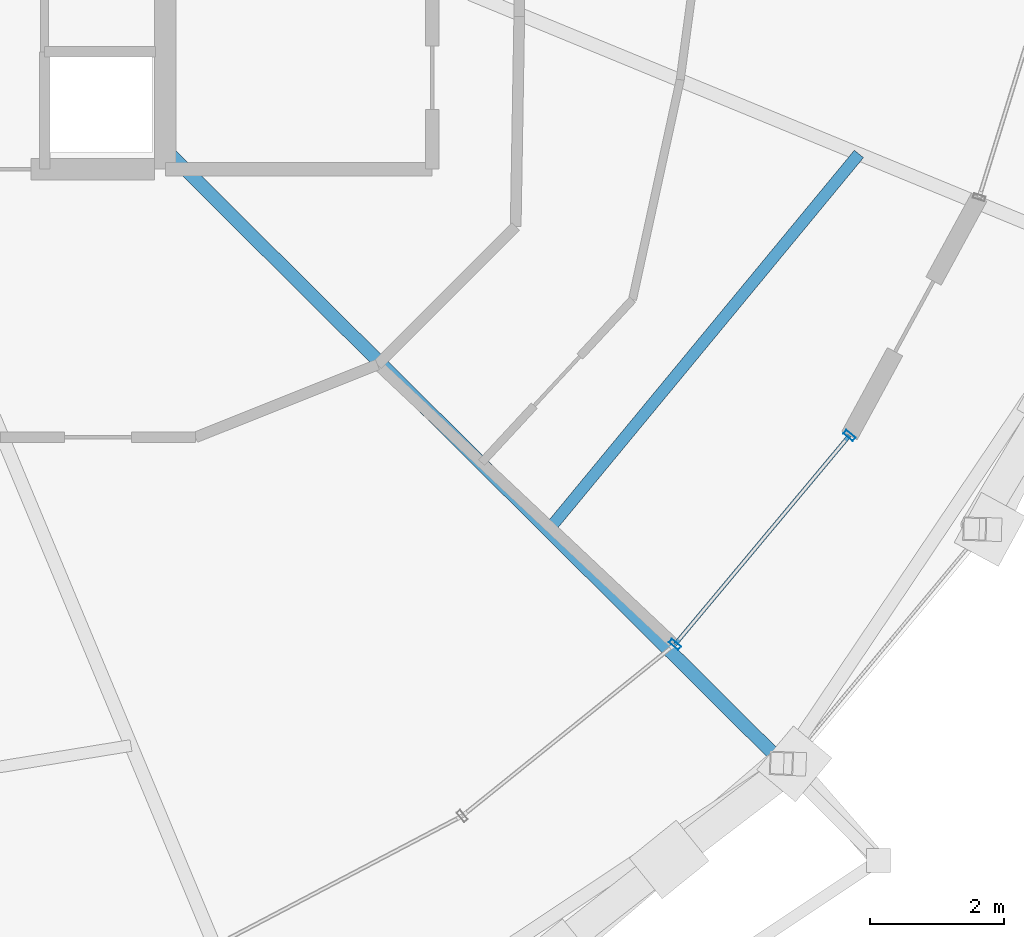
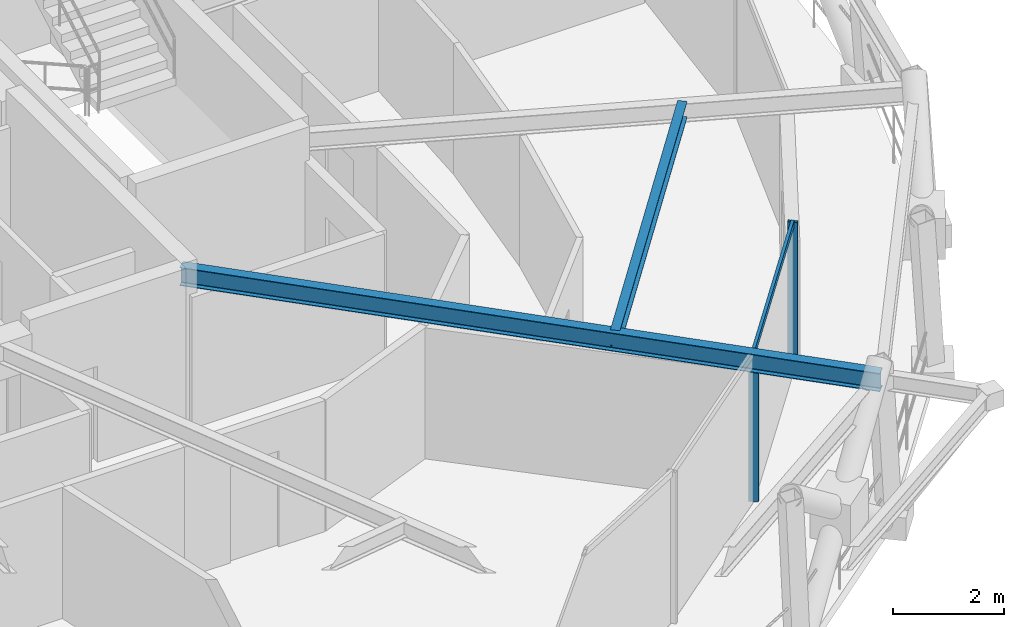
# One storey, part 5 of 18: 3 members, 2 beams, 1 element without a shape of its own.
"""IFC4 building model written with IfcOpenShell, lengths in metres."""

from ifc_helpers import new_model, si_unit, direction, frame, origin, origin_2d, place, context, subcontext, project, spatial, hollow_rectangle, i_section, extrude, material, layer, layer_set, material_profile, profile_set, type_object, element, aggregate, save


model = new_model("IFC4")

# Units and contexts
model_context = context("Model", 3, precision=1e-05, world=origin(), true_north=direction((0.0, 1.0)))
body_context = subcontext(model_context, "Body", "Model", "MODEL_VIEW")
ifc_project = project(units=[si_unit("LENGTHUNIT", "METRE"), si_unit("AREAUNIT", "SQUARE_METRE"), si_unit("VOLUMEUNIT", "CUBIC_METRE"), si_unit("PLANEANGLEUNIT", "RADIAN"), si_unit("MASSUNIT", "GRAM", prefix="KILO")], contexts=[model_context])

# Site, building, storey
site_placement = place(None, origin())
site = spatial("IfcSite", under=ifc_project, at=site_placement, CompositionType="ELEMENT")
building_placement = place(site_placement, origin())
building = spatial("IfcBuilding", under=site, at=building_placement, Name="Veldorina Hangang Commons", CompositionType="ELEMENT")
storey_placement = place(building_placement, frame((0.0, 0.0, 243.60009765625)))
storey = spatial("IfcBuildingStorey", under=building, at=storey_placement, Name="L63", CompositionType="ELEMENT", Elevation=243.60009765625)

# Beams
ifc_material_1 = material(Name="Steel SM355-TMC", Category="steel")
ifc_material_profile_1 = material_profile(ifc_material_1, i_section(OverallWidth=0.199951171875, OverallDepth=0.39990234375, WebThickness=0.008056640625, FlangeThickness=0.012939453125, FilletRadius=0.012939453125, at=origin_2d()), Name="H-400x200x8x13")
ifc_profile_set_1 = profile_set([ifc_material_profile_1], Name="Steel SM355-TMC")
beam_type_1 = type_object("IfcBeamType", Name="BM-FG400", PredefinedType="BEAM", material=ifc_profile_set_1)
beam_1_placement = place(storey_placement, frame((39.199951171875, 16.8447265625, 3.159912109375), z_axis=(0.709301904205, -0.704904822435, 0.0), x_axis=(0.704904822435, 0.709301904205, 0.0)))
element("IfcBeam", 1, at=beam_1_placement, inside=storey, type_object=beam_type_1, Name="L63 radial floor girder 15", PredefinedType="BEAM", context=body_context, shape_type="SweptSolid", body=[
    extrude(i_section(OverallWidth=0.199951171875, OverallDepth=0.39990234375, WebThickness=0.008056640625, FlangeThickness=0.012939453125, FilletRadius=0.012939453125, at=origin_2d()), origin(), (0.0, 0.0, 1.0), 12.992431640625),
])
ifc_material_profile_2 = material_profile(ifc_material_1, i_section(OverallWidth=0.175048828125, OverallDepth=0.35009765625, WebThickness=0.007080078125, FlangeThickness=0.010986328125, FilletRadius=0.012939453125, at=origin_2d()), Name="H-350x175x7x11")
ifc_profile_set_2 = profile_set([ifc_material_profile_2], Name="Steel SM355-TMC")
beam_type_2 = type_object("IfcBeamType", Name="BM-JST350", PredefinedType="JOIST", material=ifc_profile_set_2)
beam_2_placement = place(storey_placement, frame((44.913818359375, 11.16650390625, 3.184814453125), z_axis=(0.636675908341, 0.771131498344, 0.0), x_axis=(-0.771131498344, 0.636675908341, 0.0)))
element("IfcBeam", 2, at=beam_2_placement, inside=storey, type_object=beam_type_2, Name="L63 secondary floor joist 15", PredefinedType="JOIST", context=body_context, shape_type="SweptSolid", body=[
    extrude(i_section(OverallWidth=0.175048828125, OverallDepth=0.35009765625, WebThickness=0.007080078125, FlangeThickness=0.010986328125, FilletRadius=0.012939453125, at=origin_2d()), origin(), (0.0, 0.0, 1.0), 7.27587890625),
])

# Curtain wall, members
ifc_material_2 = material(Name="Glass Low-E Selective", Category="glass")
ifc_layer = layer(ifc_material_2, 0.179931640625)
ifc_layer_set = layer_set([ifc_layer], Name="Glass Low-E Selective")
curtain_wall_type = type_object("IfcCurtainWallType", Name="CW-SYS-Z3", PredefinedType="NOTDEFINED", material=ifc_layer_set)
curtain_wall_placement = place(storey_placement, origin())
curtain_wall = element("IfcCurtainWall", 3, at=curtain_wall_placement, inside=storey, type_object=curtain_wall_type, Name="L63 unitised curtain wall CW-L63-R1", PredefinedType="NOTDEFINED")
ifc_material_3 = material(Name="Aluminium Anodized AA6063-T6", Category="aluminium")
ifc_material_profile_3 = material_profile(ifc_material_3, hollow_rectangle(XDim=0.070068359375, YDim=0.179931640625, WallThickness=0.00390625, at=origin_2d()), Name="ALU-RHS-180x70x4")
ifc_profile_set_3 = profile_set([ifc_material_profile_3], Name="Aluminium Anodized AA6063-T6")
member_type_1 = type_object("IfcMemberType", Name="CW-MUL-180", PredefinedType="MULLION", material=ifc_profile_set_3)
member_1_placement = place(storey_placement, frame((46.802001953125, 9.460693359375, 0.0), z_axis=(0.0, 0.0, 1.0), x_axis=(0.641155014019, 0.767411394233, 0.0)))
member_1 = element("IfcMember", 4, at=member_1_placement, type_object=member_type_1, Name="CW-L63-R1 vertical mullion 3", PredefinedType="MULLION", context=body_context, shape_type="SweptSolid", body=[
    extrude(hollow_rectangle(XDim=0.070068359375, YDim=0.179931640625, WallThickness=0.00390625, at=origin_2d()), origin(), (0.0, 0.0, 1.0), 3.31982421875),
])
member_2_placement = place(storey_placement, frame((49.4052734375, 12.576416015625, 0.0), z_axis=(0.0, 0.0, 1.0), x_axis=(-0.641155014019, -0.767411394233, 0.0)))
member_2 = element("IfcMember", 5, at=member_2_placement, type_object=member_type_1, Name="CW-L63-R1 vertical mullion 4", PredefinedType="MULLION", context=body_context, shape_type="SweptSolid", body=[
    extrude(hollow_rectangle(XDim=0.070068359375, YDim=0.179931640625, WallThickness=0.00390625, at=origin_2d()), origin(), (0.0, 0.0, 1.0), 3.31982421875),
])
ifc_material_profile_4 = material_profile(ifc_material_3, hollow_rectangle(XDim=0.06005859375, YDim=0.139892578125, WallThickness=0.00341796875, at=origin_2d()), Name="ALU-RHS-140x60x3.5")
ifc_profile_set_4 = profile_set([ifc_material_profile_4], Name="Aluminium Anodized AA6063-T6")
member_type_2 = type_object("IfcMemberType", Name="CW-TRN-140", PredefinedType="USERDEFINED", material=ifc_profile_set_4)
member_3_placement = place(storey_placement, frame((46.802001953125, 9.460693359375, 3.27978515625), z_axis=(0.641177505304, 0.767392602709, 0.0), x_axis=(-0.767392602709, 0.641177505304, 0.0)))
member_3 = element("IfcMember", 6, at=member_3_placement, type_object=member_type_2, Name="CW-L63-R1 facet 4 transom 1", ObjectType="TRANSOM", PredefinedType="USERDEFINED", context=body_context, shape_type="SweptSolid", body=[
    extrude(hollow_rectangle(XDim=0.06005859375, YDim=0.139892578125, WallThickness=0.00341796875, at=origin_2d()), origin(), (0.0, 0.0, 1.0), 4.06005859375),
])
aggregate(curtain_wall, [member_1, member_2, member_3])

save(model, "model.ifc")
